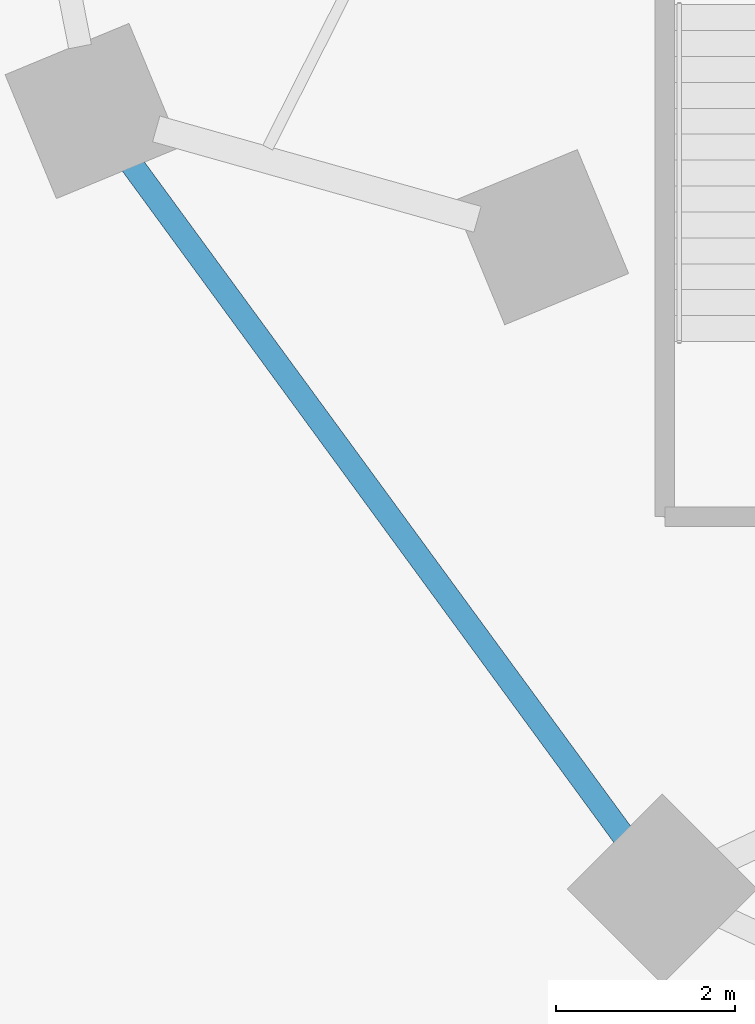
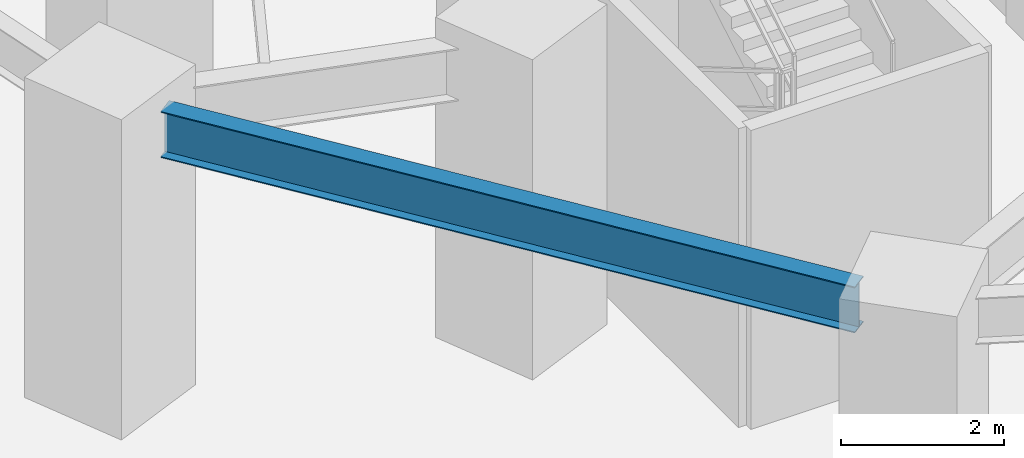
# One storey, part 3 of 27: 1 beam.
"""IFC4 building model written with IfcOpenShell, lengths in metres."""

from ifc_helpers import new_model, si_unit, direction, frame, origin, origin_2d, place, context, subcontext, project, spatial, i_section, extrude, material, material_profile, profile_set, type_object, element, save


model = new_model("IFC4")

# Units and contexts
model_context = context("Model", 3, precision=1e-05, world=origin(), true_north=direction((0.0, 1.0)))
body_context = subcontext(model_context, "Body", "Model", "MODEL_VIEW")
ifc_project = project(units=[si_unit("LENGTHUNIT", "METRE"), si_unit("AREAUNIT", "SQUARE_METRE"), si_unit("VOLUMEUNIT", "CUBIC_METRE"), si_unit("PLANEANGLEUNIT", "RADIAN"), si_unit("MASSUNIT", "GRAM", prefix="KILO")], contexts=[model_context])

# Site, building, storey
site_placement = place(None, origin())
site = spatial("IfcSite", under=ifc_project, at=site_placement, CompositionType="ELEMENT")
building_placement = place(site_placement, origin())
building = spatial("IfcBuilding", under=site, at=building_placement, Name="Vorneva Point Tower", CompositionType="ELEMENT")
storey_placement = place(building_placement, frame((0.0, 0.0, 4.800048828125)))
storey = spatial("IfcBuildingStorey", under=building, at=storey_placement, Name="L01", CompositionType="ELEMENT", Elevation=4.800048828125)

# Beam
ifc_material = material(Name="Steel S355", Category="steel")
ifc_material_profile = material_profile(ifc_material, i_section(OverallWidth=0.260009765625, OverallDepth=0.69091796875, WebThickness=0.011962890625, FlangeThickness=0.015380859375, at=origin_2d()), Name="70B1")
ifc_profile_set = profile_set([ifc_material_profile], Name="Steel S355")
beam_type = type_object("IfcBeamType", Name="BM-SPN-70B1", PredefinedType="SPANDREL", material=ifc_profile_set)
beam_placement = place(storey_placement, frame((12.122314453125, 20.236572265625, 4.134521484375), z_axis=(0.590717225993, -0.806878651914, 0.0), x_axis=(0.806878651914, 0.590717225993, 0.0)))
element("IfcBeam", 1, at=beam_placement, inside=storey, type_object=beam_type, Name="L01 Perimeter Spandrel Ring Beam 10", PredefinedType="SPANDREL", context=body_context, shape_type="SweptSolid", body=[
    extrude(i_section(OverallWidth=0.260009765625, OverallDepth=0.69091796875, WebThickness=0.011962890625, FlangeThickness=0.015380859375, at=origin_2d()), origin(), (0.0, 0.0, 1.0), 9.319091796875),
])

save(model, "model.ifc")
